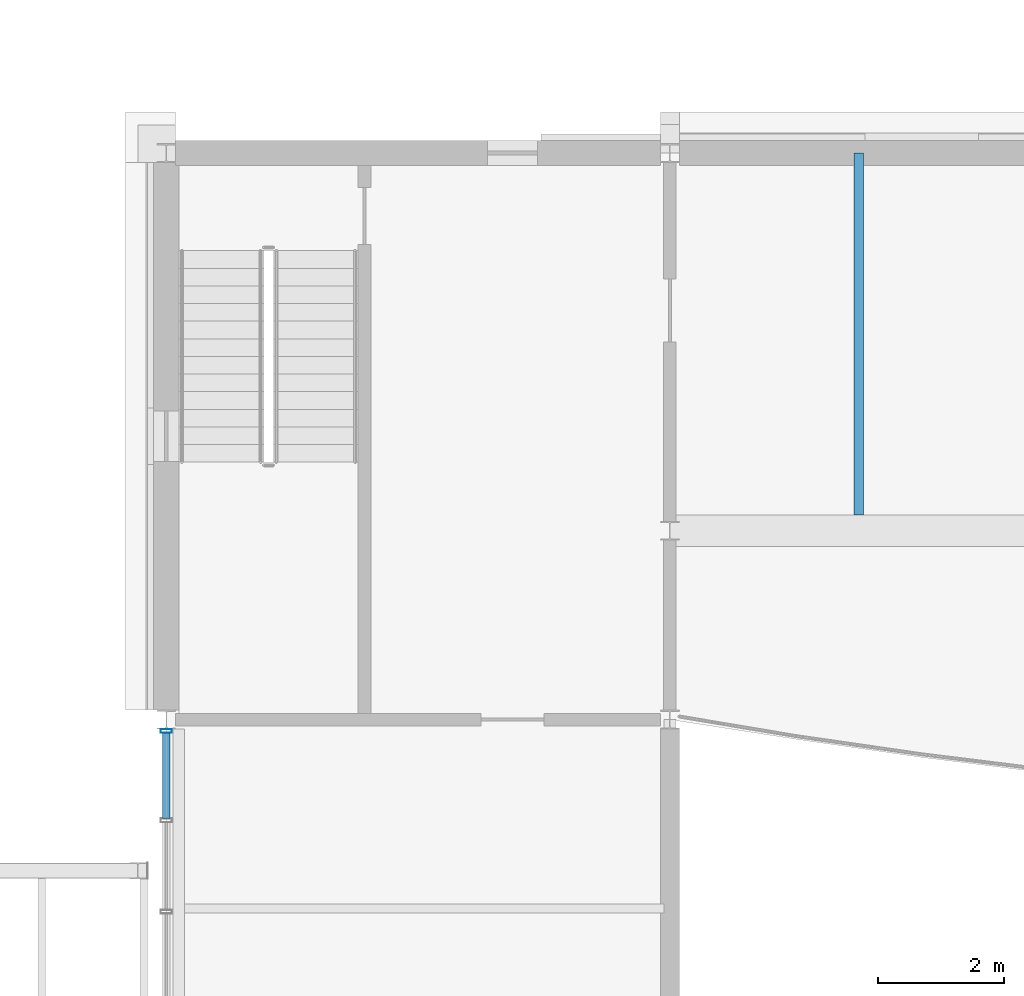
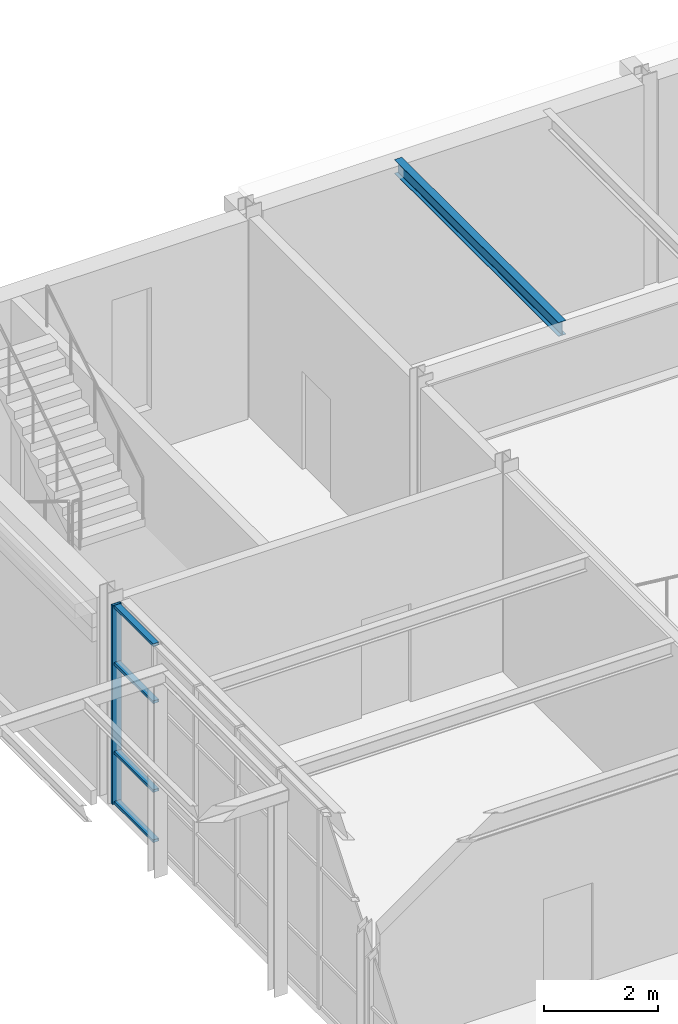
# One storey, part 73 of 153: 5 members, 1 beam, 1 element without a shape of its own.
"""IFC4 building model written with IfcOpenShell, lengths in metres."""

from ifc_helpers import new_model, si_unit, direction, frame, origin, origin_2d, place, context, subcontext, project, spatial, hollow_rectangle, i_section, extrude, material, material_profile, profile_set, type_object, element, aggregate, save


model = new_model("IFC4")

# Units and contexts
model_context = context("Model", 3, precision=1e-05, world=origin(), true_north=direction((0.0, 1.0)))
body_context = subcontext(model_context, "Body", "Model", "MODEL_VIEW")
ifc_project = project(units=[si_unit("LENGTHUNIT", "METRE"), si_unit("AREAUNIT", "SQUARE_METRE"), si_unit("VOLUMEUNIT", "CUBIC_METRE"), si_unit("PLANEANGLEUNIT", "RADIAN"), si_unit("MASSUNIT", "GRAM", prefix="KILO")], contexts=[model_context])

# Site, building, storey
site_placement = place(None, origin())
site = spatial("IfcSite", under=ifc_project, at=site_placement, CompositionType="ELEMENT")
building_placement = place(site_placement, origin())
building = spatial("IfcBuilding", under=site, at=building_placement, Name="Kallimachos Central Library", CompositionType="ELEMENT")
storey_placement = place(building_placement, frame((0.0, 0.0, 5.39990234375)))
storey = spatial("IfcBuildingStorey", under=building, at=storey_placement, Name="L01", CompositionType="ELEMENT", Elevation=5.39990234375)

# Curtain wall, members
ifc_material_1 = material(Name="Laminated glass in anodised aluminium", Category="aluminium")
curtain_wall_type = type_object("IfcCurtainWallType", Name="Foyer curtain wall", PredefinedType="NOTDEFINED", material=ifc_material_1)
curtain_wall_placement = place(storey_placement, origin())
curtain_wall = element("IfcCurtainWall", 1, at=curtain_wall_placement, inside=storey, type_object=curtain_wall_type, Name="V3-CWL-L01-002", PredefinedType="NOTDEFINED")
ifc_material_2 = material(Name="Anodised aluminium", Category="aluminium")
ifc_material_profile_1 = material_profile(ifc_material_2, hollow_rectangle(XDim=0.06005859375, YDim=0.179931640625, WallThickness=0.00390625, at=origin_2d()), Name="ALU MULLION 60x180")
ifc_profile_set_1 = profile_set([ifc_material_profile_1], Name="Anodised aluminium")
member_type_1 = type_object("IfcMemberType", Name="ALU MULLION 60x180 mullion", PredefinedType="MULLION", material=ifc_profile_set_1)
member_1_placement = place(storey_placement, frame((138.0, 104.820068359375, 0.0), z_axis=(0.0, 0.0, 1.0), x_axis=(0.0, 1.0, 0.0)))
member_1 = element("IfcMember", 2, at=member_1_placement, type_object=member_type_1, Name="CW mullion 7", PredefinedType="MULLION", context=body_context, shape_type="SweptSolid", body=[
    extrude(hollow_rectangle(XDim=0.06005859375, YDim=0.179931640625, WallThickness=0.00390625, at=origin_2d()), origin(), (0.0, 0.0, 1.0), 4.25),
])
ifc_material_3 = material(Name="Anodised aluminium", Category="aluminium")
ifc_material_profile_2 = material_profile(ifc_material_3, hollow_rectangle(XDim=0.06005859375, YDim=0.1201171875, WallThickness=0.00390625, at=origin_2d()), Name="ALU TRANSOM 60x120")
ifc_profile_set_2 = profile_set([ifc_material_profile_2], Name="Anodised aluminium")
member_type_2 = type_object("IfcMemberType", Name="ALU TRANSOM 60x120 transom", PredefinedType="USERDEFINED", material=ifc_profile_set_2)
member_2_placement = place(storey_placement, frame((138.0, 103.429931640625, 0.030029296875), z_axis=(0.0, 1.0, 0.0), x_axis=(0.0, 0.0, 1.0)))
member_2 = element("IfcMember", 3, at=member_2_placement, type_object=member_type_2, Name="CW transom 6.1", ObjectType="TRANSOM", PredefinedType="USERDEFINED", context=body_context, shape_type="SweptSolid", body=[
    extrude(hollow_rectangle(XDim=0.06005859375, YDim=0.1201171875, WallThickness=0.00390625, at=origin_2d()), origin(), (0.0, 0.0, 1.0), 1.360107421875),
])
member_3_placement = place(storey_placement, frame((138.0, 103.429931640625, 1.10009765625), z_axis=(0.0, 1.0, 0.0), x_axis=(0.0, 0.0, 1.0)))
member_3 = element("IfcMember", 4, at=member_3_placement, type_object=member_type_2, Name="CW transom 6.2", ObjectType="TRANSOM", PredefinedType="USERDEFINED", context=body_context, shape_type="SweptSolid", body=[
    extrude(hollow_rectangle(XDim=0.06005859375, YDim=0.1201171875, WallThickness=0.00390625, at=origin_2d()), origin(), (0.0, 0.0, 1.0), 1.360107421875),
])
member_4_placement = place(storey_placement, frame((138.0, 103.429931640625, 3.0), z_axis=(0.0, 1.0, 0.0), x_axis=(0.0, 0.0, 1.0)))
member_4 = element("IfcMember", 5, at=member_4_placement, type_object=member_type_2, Name="CW transom 6.3", ObjectType="TRANSOM", PredefinedType="USERDEFINED", context=body_context, shape_type="SweptSolid", body=[
    extrude(hollow_rectangle(XDim=0.06005859375, YDim=0.1201171875, WallThickness=0.00390625, at=origin_2d()), origin(), (0.0, 0.0, 1.0), 1.360107421875),
])
member_5_placement = place(storey_placement, frame((138.0, 103.429931640625, 4.22021484375), z_axis=(0.0, 1.0, 0.0), x_axis=(0.0, 0.0, 1.0)))
member_5 = element("IfcMember", 6, at=member_5_placement, type_object=member_type_2, Name="CW transom 6.4", ObjectType="TRANSOM", PredefinedType="USERDEFINED", context=body_context, shape_type="SweptSolid", body=[
    extrude(hollow_rectangle(XDim=0.06005859375, YDim=0.1201171875, WallThickness=0.00390625, at=origin_2d()), origin(), (0.0, 0.0, 1.0), 1.360107421875),
])
aggregate(curtain_wall, [member_1, member_2, member_3, member_4, member_5])

# Beam
ifc_material_4 = material(Name="Steel S355J2", Category="steel")
ifc_material_profile_3 = material_profile(ifc_material_4, i_section(OverallWidth=0.14990234375, OverallDepth=0.300048828125, WebThickness=0.007080078125, FlangeThickness=0.0107421875, FilletRadius=0.014892578125, at=origin_2d()), Name="IPE 300")
ifc_profile_set_3 = profile_set([ifc_material_profile_3], Name="Steel S355J2")
beam_type = type_object("IfcBeamType", Name="IPE 300 beam", PredefinedType="BEAM", material=ifc_profile_set_3)
beam_placement = place(storey_placement, frame((149.0, 108.25, 4.2001953125), z_axis=(0.0, 1.0, 0.0), x_axis=(-1.0, 0.0, 0.0)))
element("IfcBeam", 7, at=beam_placement, inside=storey, type_object=beam_type, Name="V3-BEM-L01-019", PredefinedType="BEAM", context=body_context, shape_type="SweptSolid", body=[
    extrude(i_section(OverallWidth=0.14990234375, OverallDepth=0.300048828125, WebThickness=0.007080078125, FlangeThickness=0.0107421875, FilletRadius=0.014892578125, at=origin_2d()), origin(), (0.0, 0.0, 1.0), 5.75),
])

save(model, "model.ifc")
